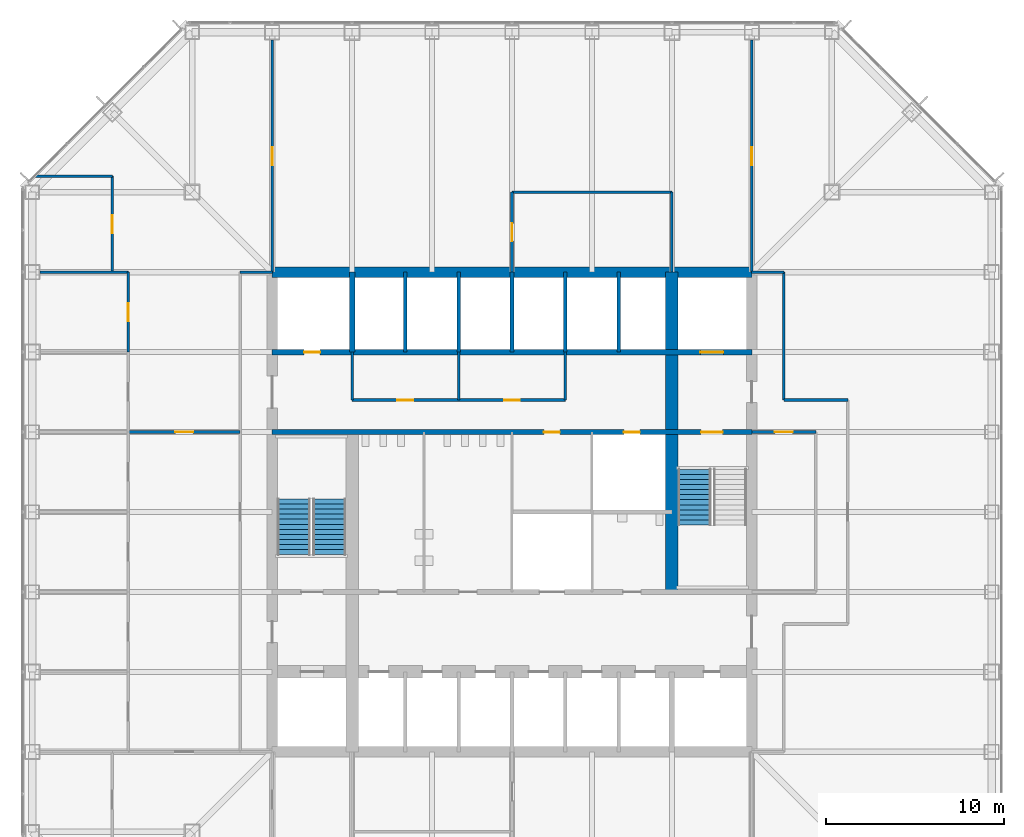
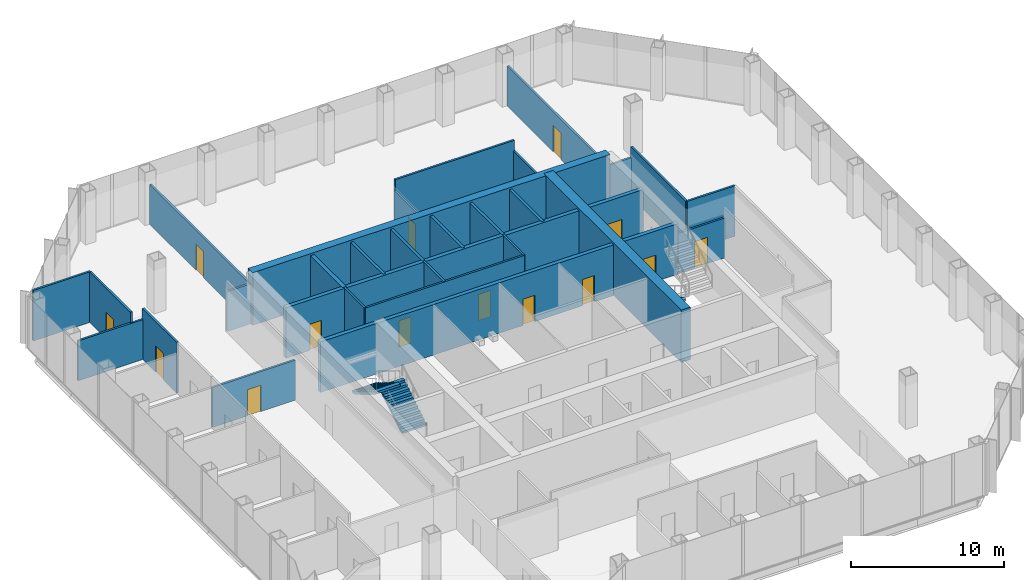
# One storey, part 10 of 13: 29 walls, 14 doors, 3 stair flights, 14 openings, 2 elements without a shape of their own.
"""IFC4 building model written with IfcOpenShell, lengths in metres."""

from ifc_helpers import new_model, si_unit, direction, frame, frame_2d, origin, place, context, subcontext, project, spatial, polyline, rectangle, outline, extrude, material, layer, layer_set, type_object, element, fill, aggregate, save


model = new_model("IFC4")

# Units and contexts
model_context = context("Model", 3, precision=1e-05, world=origin(), true_north=direction((0.0, 1.0)))
body_context = subcontext(model_context, "Body", "Model", "MODEL_VIEW")
ifc_project = project(units=[si_unit("LENGTHUNIT", "METRE"), si_unit("AREAUNIT", "SQUARE_METRE"), si_unit("VOLUMEUNIT", "CUBIC_METRE"), si_unit("PLANEANGLEUNIT", "RADIAN"), si_unit("MASSUNIT", "GRAM", prefix="KILO")], contexts=[model_context])

# Site, building, storey
site_placement = place(None, origin())
site = spatial("IfcSite", under=ifc_project, at=site_placement, CompositionType="ELEMENT")
building_placement = place(site_placement, origin())
building = spatial("IfcBuilding", under=site, at=building_placement, Name="Corais Broadcast Tower", CompositionType="ELEMENT")
storey_placement = place(building_placement, frame((0.0, 0.0, 87.800048828125)))
storey = spatial("IfcBuildingStorey", under=building, at=storey_placement, Name="L19", CompositionType="ELEMENT", Elevation=87.800048828125)

# Wall
ifc_material_1 = material(Name="Concrete blockwork class A, grouted, two-hour", Category="masonry")
ifc_layer_1 = layer(ifc_material_1, 0.300048828125)
ifc_layer_set_1 = layer_set([ifc_layer_1], Name="Concrete blockwork class A, grouted, two-hour")
wall_type_1 = type_object("IfcWallType", Name="Core lobby wall 300", PredefinedType="SOLIDWALL", material=ifc_layer_set_1)
wall_1_placement = place(storey_placement, frame((18.0, 36.0, 0.0), z_axis=(0.0, 0.0, 1.0), x_axis=(0.0, 1.0, 0.0)))
element("IfcWall", 1, at=wall_1_placement, inside=storey, type_object=wall_type_1, Name="CL1 core shaft wall X18B L19", PredefinedType="SOLIDWALL", context=body_context, shape_type="SweptSolid", body=[
    extrude(rectangle(XDim=4.5, YDim=0.300048828125, at=frame_2d((2.25, 0.0))), origin(), (0.0, 0.0, 1.0), 4.0400390625),
])

# Wall, openings, doors
wall_2_placement = place(storey_placement, frame((13.5, 31.5, 0.0), z_axis=(0.0, 0.0, 1.0), x_axis=(1.0, 0.0, 0.0)))
wall_2 = element("IfcWall", 2, at=wall_2_placement, inside=storey, type_object=wall_type_1, Name="CL1 core lobby wall Y315 L19", PredefinedType="SOLIDWALL", context=body_context, shape_type="SweptSolid", body=[
    extrude(rectangle(XDim=27.0, YDim=0.300048828125, at=frame_2d((13.5, 0.0))), origin(), (0.0, 0.0, 1.0), 4.0400390625),
])
opening_1_placement = place(wall_2_placement, frame((24.14990234375, 0.0, 0.0)))
opening_1 = element("IfcOpeningElement", 3, at=opening_1_placement, cuts=wall_2, Name="Opening FD1", PredefinedType="OPENING", context=body_context, shape_type="SweptSolid", body=[
    extrude(rectangle(XDim=1.199951171875, YDim=2.10009765625, at=frame_2d((0.60009765625, 1.050048828125))), frame((0.0, 0.159912109375, 0.0), z_axis=(0.0, -1.0, 0.0), x_axis=(1.0, 0.0, 0.0)), (0.0, 0.0, 1.0), 0.320068359375),
])
opening_2_placement = place(wall_2_placement, frame((15.300048828125, 0.0, 0.0)))
opening_2 = element("IfcOpeningElement", 4, at=opening_2_placement, cuts=wall_2, Name="Opening RD1", PredefinedType="OPENING", context=body_context, shape_type="SweptSolid", body=[
    extrude(rectangle(XDim=0.89990234375, YDim=2.10009765625, at=frame_2d((0.449951171875, 1.050048828125))), frame((0.0, 0.159912109375, 0.0), z_axis=(0.0, -1.0, 0.0), x_axis=(1.0, 0.0, 0.0)), (0.0, 0.0, 1.0), 0.320068359375),
])
opening_3_placement = place(wall_2_placement, frame((19.800048828125, 0.0, 0.0)))
opening_3 = element("IfcOpeningElement", 5, at=opening_3_placement, cuts=wall_2, Name="Opening RD1", PredefinedType="OPENING", context=body_context, shape_type="SweptSolid", body=[
    extrude(rectangle(XDim=0.89990234375, YDim=2.10009765625, at=frame_2d((0.449951171875, 1.050048828125))), frame((0.0, 0.159912109375, 0.0), z_axis=(0.0, -1.0, 0.0), x_axis=(1.0, 0.0, 0.0)), (0.0, 0.0, 1.0), 0.320068359375),
])
ifc_material_2 = material(Name="Steel fire door", Category="steel")
door_type_1 = type_object("IfcDoorType", Name="Fire door 1200x2100", OperationType="SINGLE_SWING_LEFT", PredefinedType="DOOR", material=ifc_material_2)
door_1_placement = place(opening_1_placement, origin())
door_1 = element("IfcDoor", 6, at=door_1_placement, inside=storey, type_object=door_type_1, Name="FD1 stair B door L19", OperationType="SINGLE_SWING_RIGHT", OverallHeight=2.10009765625, OverallWidth=1.199951171875, PredefinedType="DOOR", context=body_context, shape_type="SweptSolid", body=[
    extrude(rectangle(XDim=1.199951171875, YDim=2.10009765625, at=frame_2d((0.60009765625, 1.050048828125))), frame((0.0, 0.02490234375, 0.0), z_axis=(0.0, -1.0, 0.0), x_axis=(1.0, 0.0, 0.0)), (0.0, 0.0, 1.0), 0.050048828125),
])
fill(opening_1, door_1)
ifc_material_3 = material(Name="Steel fire door", Category="steel")
door_type_2 = type_object("IfcDoorType", Name="Riser door 900x2100", OperationType="SINGLE_SWING_LEFT", PredefinedType="DOOR", material=ifc_material_3)
door_2_placement = place(opening_2_placement, origin())
door_2 = element("IfcDoor", 7, at=door_2_placement, inside=storey, type_object=door_type_2, Name="RD1 vending room door L19", OperationType="SINGLE_SWING_RIGHT", OverallHeight=2.10009765625, OverallWidth=0.89990234375, PredefinedType="DOOR", context=body_context, shape_type="SweptSolid", body=[
    extrude(rectangle(XDim=0.89990234375, YDim=2.10009765625, at=frame_2d((0.449951171875, 1.050048828125))), frame((0.0, 0.02490234375, 0.0), z_axis=(0.0, -1.0, 0.0), x_axis=(1.0, 0.0, 0.0)), (0.0, 0.0, 1.0), 0.050048828125),
])
fill(opening_2, door_2)
door_3_placement = place(opening_3_placement, origin())
door_3 = element("IfcDoor", 8, at=door_3_placement, inside=storey, type_object=door_type_2, Name="RD1 riser door L19", OperationType="SINGLE_SWING_RIGHT", OverallHeight=2.10009765625, OverallWidth=0.89990234375, PredefinedType="DOOR", context=body_context, shape_type="SweptSolid", body=[
    extrude(rectangle(XDim=0.89990234375, YDim=2.10009765625, at=frame_2d((0.449951171875, 1.050048828125))), frame((0.0, 0.02490234375, 0.0), z_axis=(0.0, -1.0, 0.0), x_axis=(1.0, 0.0, 0.0)), (0.0, 0.0, 1.0), 0.050048828125),
])
fill(opening_3, door_3)

# Walls
ifc_material_4 = material(Name="Concrete C50/60", Category="concrete")
ifc_layer_2 = layer(ifc_material_4, 0.699951171875)
ifc_layer_set_2 = layer_set([ifc_layer_2], Name="Concrete C50/60")
wall_type_2 = type_object("IfcWallType", Name="Core spine wall 700", PredefinedType="SHEAR", material=ifc_layer_set_2)
wall_3_placement = place(storey_placement, frame((36.0, 22.5, 0.0), z_axis=(0.0, 0.0, 1.0), x_axis=(0.0, 1.0, 0.0)))
element("IfcWall", 9, at=wall_3_placement, inside=storey, type_object=wall_type_2, Name="CR700 core wall X36B L19", PredefinedType="SHEAR", context=body_context, shape_type="SweptSolid", body=[
    extrude(rectangle(XDim=18.0, YDim=0.699951171875, at=frame_2d((9.0, 0.0))), origin(), (0.0, 0.0, 1.0), 4.199951171875),
])
ifc_material_5 = material(Name="Concrete C50/60", Category="concrete")
ifc_layer_3 = layer(ifc_material_5, 0.60009765625)
ifc_layer_set_3 = layer_set([ifc_layer_3], Name="Concrete C50/60")
wall_type_3 = type_object("IfcWallType", Name="Core wall 600", PredefinedType="SHEAR", material=ifc_layer_set_3)
wall_4_placement = place(storey_placement, frame((40.5, 40.5, 0.0), z_axis=(0.0, 0.0, 1.0), x_axis=(-1.0, 0.0, 0.0)))
element("IfcWall", 10, at=wall_4_placement, inside=storey, type_object=wall_type_3, Name="CR600 core wall N L19", PredefinedType="SHEAR", context=body_context, shape_type="SweptSolid", body=[
    extrude(rectangle(XDim=27.0, YDim=0.60009765625, at=frame_2d((13.5, 0.0))), origin(), (0.0, 0.0, 1.0), 4.199951171875),
])

# Wall, openings, doors
ifc_material_6 = material(Name="Concrete blockwork class A, grouted, four-hour", Category="masonry")
ifc_layer_4 = layer(ifc_material_6, 0.300048828125)
ifc_layer_set_4 = layer_set([ifc_layer_4], Name="Concrete blockwork class A, grouted, four-hour")
wall_type_4 = type_object("IfcWallType", Name="Emergency lift shaft wall 300", PredefinedType="SOLIDWALL", material=ifc_layer_set_4)
wall_5_placement = place(storey_placement, frame((13.5, 36.0, 0.0), z_axis=(0.0, 0.0, 1.0), x_axis=(1.0, 0.0, 0.0)))
wall_5 = element("IfcWall", 11, at=wall_5_placement, inside=storey, type_object=wall_type_4, Name="LS1 core lobby wall Y36 L19", PredefinedType="SOLIDWALL", context=body_context, shape_type="SweptSolid", body=[
    extrude(rectangle(XDim=27.0, YDim=0.300048828125, at=frame_2d((13.5, 0.0))), origin(), (0.0, 0.0, 1.0), 4.0400390625),
])
opening_4_placement = place(wall_5_placement, frame((1.800048828125, 0.0, 0.0)))
opening_4 = element("IfcOpeningElement", 12, at=opening_4_placement, cuts=wall_5, Name="Opening RD1", PredefinedType="OPENING", context=body_context, shape_type="SweptSolid", body=[
    extrude(rectangle(XDim=0.89990234375, YDim=2.10009765625, at=frame_2d((0.449951171875, 1.050048828125))), frame((0.0, 0.159912109375, 0.0), z_axis=(0.0, -1.0, 0.0), x_axis=(1.0, 0.0, 0.0)), (0.0, 0.0, 1.0), 0.320068359375),
])
opening_5_placement = place(wall_5_placement, frame((24.10009765625, 0.0, 0.0)))
opening_5 = element("IfcOpeningElement", 13, at=opening_5_placement, cuts=wall_5, Name="Opening LD2", PredefinedType="OPENING", context=body_context, shape_type="SweptSolid", body=[
    extrude(rectangle(XDim=1.300048828125, YDim=2.199951171875, at=frame_2d((0.64990234375, 1.10009765625))), frame((0.0, 0.159912109375, 0.0), z_axis=(0.0, -1.0, 0.0), x_axis=(1.0, 0.0, 0.0)), (0.0, 0.0, 1.0), 0.320068359375),
])
ifc_material_7 = material(Name="Stainless steel lift door", Category="steel")
door_type_3 = type_object("IfcDoorType", Name="Lift landing door 1300x2200", OperationType="SLIDING_TO_LEFT", PredefinedType="DOOR", material=ifc_material_7)
door_4_placement = place(opening_5_placement, origin())
door_4 = element("IfcDoor", 14, at=door_4_placement, inside=storey, type_object=door_type_3, Name="LD2 FL2 landing door L19", OperationType="SLIDING_TO_LEFT", OverallHeight=2.199951171875, OverallWidth=1.300048828125, PredefinedType="DOOR", context=body_context, shape_type="SweptSolid", body=[
    extrude(rectangle(XDim=1.300048828125, YDim=2.199951171875, at=frame_2d((0.64990234375, 1.10009765625))), frame((0.0, 0.02490234375, 0.0), z_axis=(0.0, -1.0, 0.0), x_axis=(1.0, 0.0, 0.0)), (0.0, 0.0, 1.0), 0.050048828125),
])
fill(opening_5, door_4)
door_5_placement = place(opening_4_placement, origin())
door_5 = element("IfcDoor", 15, at=door_5_placement, inside=storey, type_object=door_type_2, Name="RD1 riser door L19", OperationType="SINGLE_SWING_LEFT", OverallHeight=2.10009765625, OverallWidth=0.89990234375, PredefinedType="DOOR", context=body_context, shape_type="SweptSolid", body=[
    extrude(rectangle(XDim=0.89990234375, YDim=2.10009765625, at=frame_2d((0.449951171875, 1.050048828125))), frame((0.0, 0.02490234375, 0.0), z_axis=(0.0, -1.0, 0.0), x_axis=(1.0, 0.0, 0.0)), (0.0, 0.0, 1.0), 0.050048828125),
])
fill(opening_4, door_5)

ifc_material_8 = material(Name="Two layers of fire-rated gypsum board each side on steel studs", Category="steel")
ifc_layer_5 = layer(ifc_material_8, 0.14990234375)
ifc_layer_set_5 = layer_set([ifc_layer_5], Name="Two layers of fire-rated gypsum board each side on steel studs")
wall_type_5 = type_object("IfcWallType", Name="Fire-rated partition 150 EI 60", PredefinedType="PARTITIONING", material=ifc_layer_set_5)
wall_6_placement = place(storey_placement, frame((18.0, 33.300048828125, 0.0), z_axis=(0.0, 0.0, 1.0), x_axis=(1.0, 0.0, 0.0)))
wall_6 = element("IfcWall", 16, at=wall_6_placement, inside=storey, type_object=wall_type_5, Name="IW7 partition L19", PredefinedType="PARTITIONING", context=body_context, shape_type="SweptSolid", body=[
    extrude(rectangle(XDim=12.0, YDim=0.14990234375, at=frame_2d((6.0, 0.0))), origin(), (0.0, 0.0, 1.0), 4.0400390625),
])
opening_6_placement = place(wall_6_placement, frame((2.550048828125, 0.0, 0.0)))
opening_6 = element("IfcOpeningElement", 17, at=opening_6_placement, cuts=wall_6, Name="Opening RD1", PredefinedType="OPENING", context=body_context, shape_type="SweptSolid", body=[
    extrude(rectangle(XDim=0.89990234375, YDim=2.10009765625, at=frame_2d((0.449951171875, 1.050048828125))), frame((0.0, 0.0849609375, 0.0), z_axis=(0.0, -1.0, 0.0), x_axis=(1.0, 0.0, 0.0)), (0.0, 0.0, 1.0), 0.169921875),
])
opening_7_placement = place(wall_6_placement, frame((8.550048828125, 0.0, 0.0)))
opening_7 = element("IfcOpeningElement", 18, at=opening_7_placement, cuts=wall_6, Name="Opening RD1", PredefinedType="OPENING", context=body_context, shape_type="SweptSolid", body=[
    extrude(rectangle(XDim=0.89990234375, YDim=2.10009765625, at=frame_2d((0.449951171875, 1.050048828125))), frame((0.0, 0.0849609375, 0.0), z_axis=(0.0, -1.0, 0.0), x_axis=(1.0, 0.0, 0.0)), (0.0, 0.0, 1.0), 0.169921875),
])
door_6_placement = place(opening_6_placement, origin())
door_6 = element("IfcDoor", 19, at=door_6_placement, inside=storey, type_object=door_type_2, Name="RD1 locker room door L19", OperationType="SINGLE_SWING_LEFT", OverallHeight=2.10009765625, OverallWidth=0.89990234375, PredefinedType="DOOR", context=body_context, shape_type="SweptSolid", body=[
    extrude(rectangle(XDim=0.89990234375, YDim=2.10009765625, at=frame_2d((0.449951171875, 1.050048828125))), frame((0.0, 0.02490234375, 0.0), z_axis=(0.0, -1.0, 0.0), x_axis=(1.0, 0.0, 0.0)), (0.0, 0.0, 1.0), 0.050048828125),
])
fill(opening_6, door_6)
door_7_placement = place(opening_7_placement, origin())
door_7 = element("IfcDoor", 20, at=door_7_placement, inside=storey, type_object=door_type_2, Name="RD1 tea point door L19", OperationType="SINGLE_SWING_RIGHT", OverallHeight=2.10009765625, OverallWidth=0.89990234375, PredefinedType="DOOR", context=body_context, shape_type="SweptSolid", body=[
    extrude(rectangle(XDim=0.89990234375, YDim=2.10009765625, at=frame_2d((0.449951171875, 1.050048828125))), frame((0.0, 0.02490234375, 0.0), z_axis=(0.0, -1.0, 0.0), x_axis=(1.0, 0.0, 0.0)), (0.0, 0.0, 1.0), 0.050048828125),
])
fill(opening_7, door_7)

# Walls
for number, where, z_axis, x_axis, name in (
    (21, (18.0, 33.300048828125, 0.0), (0.0, 0.0, 1.0), (0.0, 1.0, 0.0), "IW7 partition L19"),
    (22, (24.0, 33.300048828125, 0.0), (0.0, 0.0, 1.0), (0.0, 1.0, 0.0), "IW7 partition L19"),
    (23, (30.0, 33.300048828125, 0.0), (0.0, 0.0, 1.0), (0.0, 1.0, 0.0), "IW7 partition L19"),
):
    element("IfcWall", number, at=place(storey_placement, frame(where, z_axis=z_axis, x_axis=x_axis)), inside=storey, type_object=wall_type_5, Name=name, PredefinedType="PARTITIONING", context=body_context, shape_type="SweptSolid", body=[
        extrude(rectangle(XDim=2.699951171875, YDim=0.14990234375, at=frame_2d((1.35009765625, 0.0))), origin(), (0.0, 0.0, 1.0), 4.0400390625),
    ])
ifc_material_9 = material(Name="Gypsum board on steel studs", Category="steel")
ifc_layer_6 = layer(ifc_material_9, 0.14990234375)
ifc_layer_set_6 = layer_set([ifc_layer_6], Name="Gypsum board on steel studs")
wall_type_6 = type_object("IfcWallType", Name="Partition 150", PredefinedType="PARTITIONING", material=ifc_layer_set_6)
wall_7_placement = place(storey_placement, frame((42.300048828125, 33.300048828125, 0.0), z_axis=(0.0, 0.0, 1.0), x_axis=(0.0, 1.0, 0.0)))
element("IfcWall", 24, at=wall_7_placement, inside=storey, type_object=wall_type_6, Name="IW3 corridor wall L19", PredefinedType="PARTITIONING", context=body_context, shape_type="SweptSolid", body=[
    extrude(rectangle(XDim=7.199951171875, YDim=0.14990234375, at=frame_2d((3.60009765625, 0.0))), origin(), (0.0, 0.0, 1.0), 4.0400390625),
])
wall_8_placement = place(storey_placement, frame((45.89990234375, 33.300048828125, 0.0), z_axis=(0.0, 0.0, 1.0), x_axis=(-1.0, 0.0, 0.0)))
element("IfcWall", 25, at=wall_8_placement, inside=storey, type_object=wall_type_6, Name="IW3 corridor wall L19", PredefinedType="PARTITIONING", context=body_context, shape_type="SweptSolid", body=[
    extrude(rectangle(XDim=3.599853515625, YDim=0.14990234375, at=frame_2d((1.7998046875, 0.0))), origin(), (0.0, 0.0, 1.0), 4.0400390625),
])
for number, where, z_axis, x_axis, name in (
    (26, (13.510009765625, 40.5, 0.0), (0.0, 0.0, 1.0), (-1.0, 0.0, 0.0), "IW3 corridor wall L19"),
    (27, (42.300048828125, 40.5, 0.0), (0.0, 0.0, 1.0), (-1.0, 0.0, 0.0), "IW3 corridor wall L19"),
):
    element("IfcWall", number, at=place(storey_placement, frame(where, z_axis=z_axis, x_axis=x_axis)), inside=storey, type_object=wall_type_6, Name=name, PredefinedType="PARTITIONING", context=body_context, shape_type="SweptSolid", body=[
        extrude(rectangle(XDim=1.81005859375, YDim=0.14990234375, at=frame_2d((0.905029296875, 0.0))), origin(), (0.0, 0.0, 1.0), 3.18896484375),
    ])

# Wall, opening, door
wall_9_placement = place(storey_placement, frame((5.39990234375, 36.0, 0.0), z_axis=(0.0, 0.0, 1.0), x_axis=(0.0, 1.0, 0.0)))
wall_9 = element("IfcWall", 28, at=wall_9_placement, inside=storey, type_object=wall_type_6, Name="IW3 partition L19", PredefinedType="PARTITIONING", context=body_context, shape_type="SweptSolid", body=[
    extrude(rectangle(XDim=4.5, YDim=0.14990234375, at=frame_2d((2.25, 0.0))), origin(), (0.0, 0.0, 1.0), 4.0400390625),
])
opening_8_placement = place(wall_9_placement, frame((1.75, 0.0, 0.0)))
opening_8 = element("IfcOpeningElement", 29, at=opening_8_placement, cuts=wall_9, Name="Opening D1", PredefinedType="OPENING", context=body_context, shape_type="SweptSolid", body=[
    extrude(rectangle(XDim=1.0, YDim=2.10009765625, at=frame_2d((0.5, 1.050048828125))), frame((0.0, 0.0849609375, 0.0), z_axis=(0.0, -1.0, 0.0), x_axis=(1.0, 0.0, 0.0)), (0.0, 0.0, 1.0), 0.169921875),
])
ifc_material_10 = material(Name="Timber door", Category="wood")
door_type_4 = type_object("IfcDoorType", Name="Single door 1000x2100", OperationType="SINGLE_SWING_LEFT", PredefinedType="DOOR", material=ifc_material_10)
door_8_placement = place(opening_8_placement, origin())
door_8 = element("IfcDoor", 30, at=door_8_placement, inside=storey, type_object=door_type_4, Name="D1 Office door", OperationType="SINGLE_SWING_LEFT", OverallHeight=2.10009765625, OverallWidth=1.0, PredefinedType="DOOR", context=body_context, shape_type="SweptSolid", body=[
    extrude(rectangle(XDim=1.0, YDim=2.10009765625, at=frame_2d((0.5, 1.050048828125))), frame((0.0, 0.02490234375, 0.0), z_axis=(0.0, -1.0, 0.0), x_axis=(1.0, 0.0, 0.0)), (0.0, 0.0, 1.0), 0.050048828125),
])
fill(opening_8, door_8)

# Wall
wall_10_placement = place(storey_placement, frame((5.39990234375, 40.5, 0.0), z_axis=(0.0, 0.0, 1.0), x_axis=(-1.0, 0.0, 0.0)))
element("IfcWall", 31, at=wall_10_placement, inside=storey, type_object=wall_type_6, Name="IW3 partition L19", PredefinedType="PARTITIONING", context=body_context, shape_type="SweptSolid", body=[
    extrude(rectangle(XDim=4.96484375, YDim=0.14990234375, at=frame_2d((2.482421875, 0.0))), origin(), (0.0, 0.0, 1.0), 3.18896484375),
])

# Wall, opening, door
wall_11_placement = place(storey_placement, frame((4.5, 40.5, 0.0), z_axis=(0.0, 0.0, 1.0), x_axis=(0.0, 1.0, 0.0)))
wall_11 = element("IfcWall", 32, at=wall_11_placement, inside=storey, type_object=wall_type_6, Name="IW3 partition L19", PredefinedType="PARTITIONING", context=body_context, shape_type="SweptSolid", body=[
    extrude(rectangle(XDim=5.39990234375, YDim=0.14990234375, at=frame_2d((2.699951171875, 0.0))), origin(), (0.0, 0.0, 1.0), 4.0400390625),
])
opening_9_placement = place(wall_11_placement, frame((2.199951171875, 0.0, 0.0)))
opening_9 = element("IfcOpeningElement", 33, at=opening_9_placement, cuts=wall_11, Name="Opening D1", PredefinedType="OPENING", context=body_context, shape_type="SweptSolid", body=[
    extrude(rectangle(XDim=1.0, YDim=2.10009765625, at=frame_2d((0.5, 1.050048828125))), frame((0.0, 0.0849609375, 0.0), z_axis=(0.0, -1.0, 0.0), x_axis=(1.0, 0.0, 0.0)), (0.0, 0.0, 1.0), 0.169921875),
])
door_9_placement = place(opening_9_placement, origin())
door_9 = element("IfcDoor", 34, at=door_9_placement, inside=storey, type_object=door_type_4, Name="D1 Office door", OperationType="SINGLE_SWING_LEFT", OverallHeight=2.10009765625, OverallWidth=1.0, PredefinedType="DOOR", context=body_context, shape_type="SweptSolid", body=[
    extrude(rectangle(XDim=1.0, YDim=2.10009765625, at=frame_2d((0.5, 1.050048828125))), frame((0.0, 0.02490234375, 0.0), z_axis=(0.0, -1.0, 0.0), x_axis=(1.0, 0.0, 0.0)), (0.0, 0.0, 1.0), 0.050048828125),
])
fill(opening_9, door_9)

# Wall
wall_12_placement = place(storey_placement, frame((4.5, 45.89990234375, 0.0), z_axis=(0.0, 0.0, 1.0), x_axis=(-1.0, 0.0, 0.0)))
element("IfcWall", 35, at=wall_12_placement, inside=storey, type_object=wall_type_6, Name="IW3 partition L19", PredefinedType="PARTITIONING", context=body_context, shape_type="SweptSolid", body=[
    extrude(rectangle(XDim=4.33544921875, YDim=0.14990234375, at=frame_2d((2.167724609375, 0.0))), origin(), (0.0, 0.0, 1.0), 4.0400390625),
])

# Wall, opening, door
wall_13_placement = place(storey_placement, frame((44.10009765625, 31.5, 0.0), z_axis=(0.0, 0.0, 1.0), x_axis=(-1.0, 0.0, 0.0)))
wall_13 = element("IfcWall", 36, at=wall_13_placement, inside=storey, type_object=wall_type_6, Name="IW3 partition L19", PredefinedType="PARTITIONING", context=body_context, shape_type="SweptSolid", body=[
    extrude(rectangle(XDim=3.60009765625, YDim=0.14990234375, at=frame_2d((1.800048828125, 0.0))), origin(), (0.0, 0.0, 1.0), 3.18896484375),
])
opening_10_placement = place(wall_13_placement, frame((1.300048828125, 0.0, 0.0)))
opening_10 = element("IfcOpeningElement", 37, at=opening_10_placement, cuts=wall_13, Name="Opening D1", PredefinedType="OPENING", context=body_context, shape_type="SweptSolid", body=[
    extrude(rectangle(XDim=1.0, YDim=2.10009765625, at=frame_2d((0.5, 1.050048828125))), frame((0.0, 0.0849609375, 0.0), z_axis=(0.0, -1.0, 0.0), x_axis=(1.0, 0.0, 0.0)), (0.0, 0.0, 1.0), 0.169921875),
])
door_10_placement = place(opening_10_placement, origin())
door_10 = element("IfcDoor", 38, at=door_10_placement, inside=storey, type_object=door_type_4, Name="D1 Pantry door", OperationType="SINGLE_SWING_LEFT", OverallHeight=2.10009765625, OverallWidth=1.0, PredefinedType="DOOR", context=body_context, shape_type="SweptSolid", body=[
    extrude(rectangle(XDim=1.0, YDim=2.10009765625, at=frame_2d((0.5, 1.050048828125))), frame((0.0, 0.02490234375, 0.0), z_axis=(0.0, -1.0, 0.0), x_axis=(1.0, 0.0, 0.0)), (0.0, 0.0, 1.0), 0.050048828125),
])
fill(opening_10, door_10)

# Walls
wall_14_placement = place(storey_placement, frame((36.0, 40.5, 0.0), z_axis=(0.0, 0.0, 1.0), x_axis=(0.0, 1.0, 0.0)))
element("IfcWall", 39, at=wall_14_placement, inside=storey, type_object=wall_type_6, Name="IW3 partition L19", PredefinedType="PARTITIONING", context=body_context, shape_type="SweptSolid", body=[
    extrude(rectangle(XDim=4.5, YDim=0.14990234375, at=frame_2d((2.25, 0.0))), origin(), (0.0, 0.0, 1.0), 3.18896484375),
])
wall_15_placement = place(storey_placement, frame((36.0, 45.0, 0.0), z_axis=(0.0, 0.0, 1.0), x_axis=(-1.0, 0.0, 0.0)))
element("IfcWall", 40, at=wall_15_placement, inside=storey, type_object=wall_type_6, Name="IW3 partition L19", PredefinedType="PARTITIONING", context=body_context, shape_type="SweptSolid", body=[
    extrude(rectangle(XDim=9.0, YDim=0.14990234375, at=frame_2d((4.5, 0.0))), origin(), (0.0, 0.0, 1.0), 4.0400390625),
])

# Wall, opening, door
wall_16_placement = place(storey_placement, frame((27.0, 45.0, 0.0), z_axis=(0.0, 0.0, 1.0), x_axis=(0.0, -1.0, 0.0)))
wall_16 = element("IfcWall", 41, at=wall_16_placement, inside=storey, type_object=wall_type_6, Name="IW3 partition L19", PredefinedType="PARTITIONING", context=body_context, shape_type="SweptSolid", body=[
    extrude(rectangle(XDim=4.5, YDim=0.14990234375, at=frame_2d((2.25, 0.0))), origin(), (0.0, 0.0, 1.0), 3.18896484375),
])
opening_11_placement = place(wall_16_placement, frame((1.75, 0.0, 0.0)))
opening_11 = element("IfcOpeningElement", 42, at=opening_11_placement, cuts=wall_16, Name="Opening D1", PredefinedType="OPENING", context=body_context, shape_type="SweptSolid", body=[
    extrude(rectangle(XDim=1.0, YDim=2.10009765625, at=frame_2d((0.5, 1.050048828125))), frame((0.0, 0.0849609375, 0.0), z_axis=(0.0, -1.0, 0.0), x_axis=(1.0, 0.0, 0.0)), (0.0, 0.0, 1.0), 0.169921875),
])
door_11_placement = place(opening_11_placement, origin())
door_11 = element("IfcDoor", 43, at=door_11_placement, inside=storey, type_object=door_type_4, Name="D1 Meeting room door", OperationType="SINGLE_SWING_LEFT", OverallHeight=2.10009765625, OverallWidth=1.0, PredefinedType="DOOR", context=body_context, shape_type="SweptSolid", body=[
    extrude(rectangle(XDim=1.0, YDim=2.10009765625, at=frame_2d((0.5, 1.050048828125))), frame((0.0, 0.02490234375, 0.0), z_axis=(0.0, -1.0, 0.0), x_axis=(1.0, 0.0, 0.0)), (0.0, 0.0, 1.0), 0.050048828125),
])
fill(opening_11, door_11)

wall_17_placement = place(storey_placement, frame((40.5, 53.554931640625, 0.0), z_axis=(0.0, 0.0, 1.0), x_axis=(0.0, -1.0, 0.0)))
wall_17 = element("IfcWall", 44, at=wall_17_placement, inside=storey, type_object=wall_type_6, Name="IW3 partition L19", PredefinedType="PARTITIONING", context=body_context, shape_type="SweptSolid", body=[
    extrude(rectangle(XDim=13.054931640625, YDim=0.14990234375, at=frame_2d((6.52734375, 0.0))), origin(), (0.0, 0.0, 1.0), 3.18896484375),
])
opening_12_placement = place(wall_17_placement, frame((6.027587890625, 0.0, 0.0)))
opening_12 = element("IfcOpeningElement", 45, at=opening_12_placement, cuts=wall_17, Name="Opening D1", PredefinedType="OPENING", context=body_context, shape_type="SweptSolid", body=[
    extrude(rectangle(XDim=1.0, YDim=2.10009765625, at=frame_2d((0.5, 1.050048828125))), frame((0.0, 0.0849609375, 0.0), z_axis=(0.0, -1.0, 0.0), x_axis=(1.0, 0.0, 0.0)), (0.0, 0.0, 1.0), 0.169921875),
])
door_12_placement = place(opening_12_placement, origin())
door_12 = element("IfcDoor", 46, at=door_12_placement, inside=storey, type_object=door_type_4, Name="D1 team room door L19", OperationType="SINGLE_SWING_LEFT", OverallHeight=2.10009765625, OverallWidth=1.0, PredefinedType="DOOR", context=body_context, shape_type="SweptSolid", body=[
    extrude(rectangle(XDim=1.0, YDim=2.10009765625, at=frame_2d((0.5, 1.050048828125))), frame((0.0, 0.02490234375, 0.0), z_axis=(0.0, -1.0, 0.0), x_axis=(1.0, 0.0, 0.0)), (0.0, 0.0, 1.0), 0.050048828125),
])
fill(opening_12, door_12)

wall_18_placement = place(storey_placement, frame((13.5, 40.5, 0.0), z_axis=(0.0, 0.0, 1.0), x_axis=(0.0, 1.0, 0.0)))
wall_18 = element("IfcWall", 47, at=wall_18_placement, inside=storey, type_object=wall_type_6, Name="IW3 partition L19", PredefinedType="PARTITIONING", context=body_context, shape_type="SweptSolid", body=[
    extrude(rectangle(XDim=13.054931640625, YDim=0.14990234375, at=frame_2d((6.52734375, 0.0))), origin(), (0.0, 0.0, 1.0), 3.18896484375),
])
opening_13_placement = place(wall_18_placement, frame((6.027587890625, 0.0, 0.0)))
opening_13 = element("IfcOpeningElement", 48, at=opening_13_placement, cuts=wall_18, Name="Opening D1", PredefinedType="OPENING", context=body_context, shape_type="SweptSolid", body=[
    extrude(rectangle(XDim=1.0, YDim=2.10009765625, at=frame_2d((0.5, 1.050048828125))), frame((0.0, 0.0849609375, 0.0), z_axis=(0.0, -1.0, 0.0), x_axis=(1.0, 0.0, 0.0)), (0.0, 0.0, 1.0), 0.169921875),
])
door_13_placement = place(opening_13_placement, origin())
door_13 = element("IfcDoor", 49, at=door_13_placement, inside=storey, type_object=door_type_4, Name="D1 team room door L19", OperationType="SINGLE_SWING_LEFT", OverallHeight=2.10009765625, OverallWidth=1.0, PredefinedType="DOOR", context=body_context, shape_type="SweptSolid", body=[
    extrude(rectangle(XDim=1.0, YDim=2.10009765625, at=frame_2d((0.5, 1.050048828125))), frame((0.0, 0.02490234375, 0.0), z_axis=(0.0, -1.0, 0.0), x_axis=(1.0, 0.0, 0.0)), (0.0, 0.0, 1.0), 0.050048828125),
])
fill(opening_13, door_13)

wall_19_placement = place(storey_placement, frame((11.699951171875, 31.5, 0.0), z_axis=(0.0, 0.0, 1.0), x_axis=(-1.0, 0.0, 0.0)))
wall_19 = element("IfcWall", 50, at=wall_19_placement, inside=storey, type_object=wall_type_6, Name="IW3 partition L19", PredefinedType="PARTITIONING", context=body_context, shape_type="SweptSolid", body=[
    extrude(rectangle(XDim=6.300048828125, YDim=0.14990234375, at=frame_2d((3.14990234375, 0.0))), origin(), (0.0, 0.0, 1.0), 3.18896484375),
])
opening_14_placement = place(wall_19_placement, frame((2.64990234375, 0.0, 0.0)))
opening_14 = element("IfcOpeningElement", 51, at=opening_14_placement, cuts=wall_19, Name="Opening D1", PredefinedType="OPENING", context=body_context, shape_type="SweptSolid", body=[
    extrude(rectangle(XDim=1.0, YDim=2.10009765625, at=frame_2d((0.5, 1.050048828125))), frame((0.0, 0.0849609375, 0.0), z_axis=(0.0, -1.0, 0.0), x_axis=(1.0, 0.0, 0.0)), (0.0, 0.0, 1.0), 0.169921875),
])
door_14_placement = place(opening_14_placement, origin())
door_14 = element("IfcDoor", 52, at=door_14_placement, inside=storey, type_object=door_type_4, Name="D1 team room door L19", OperationType="SINGLE_SWING_LEFT", OverallHeight=2.10009765625, OverallWidth=1.0, PredefinedType="DOOR", context=body_context, shape_type="SweptSolid", body=[
    extrude(rectangle(XDim=1.0, YDim=2.10009765625, at=frame_2d((0.5, 1.050048828125))), frame((0.0, 0.02490234375, 0.0), z_axis=(0.0, -1.0, 0.0), x_axis=(1.0, 0.0, 0.0)), (0.0, 0.0, 1.0), 0.050048828125),
])
fill(opening_14, door_14)

# Walls
ifc_material_11 = material(Name="Concrete blockwork class A, grouted, two-hour", Category="masonry")
ifc_layer_7 = layer(ifc_material_11, 0.199951171875)
ifc_layer_set_7 = layer_set([ifc_layer_7], Name="Concrete blockwork class A, grouted, two-hour")
wall_type_7 = type_object("IfcWallType", Name="Shaft wall 200", PredefinedType="PARTITIONING", material=ifc_layer_set_7)
for number, where, z_axis, x_axis, name in (
    (53, (21.0, 36.0, 0.0), (0.0, 0.0, 1.0), (0.0, 1.0, 0.0), "IW1 shaft wall L19"),
    (54, (24.0, 36.0, 0.0), (0.0, 0.0, 1.0), (0.0, 1.0, 0.0), "IW1 shaft wall L19"),
    (55, (27.0, 36.0, 0.0), (0.0, 0.0, 1.0), (0.0, 1.0, 0.0), "IW1 shaft wall L19"),
    (56, (30.0, 36.0, 0.0), (0.0, 0.0, 1.0), (0.0, 1.0, 0.0), "IW1 shaft wall L19"),
    (57, (33.0, 36.0, 0.0), (0.0, 0.0, 1.0), (0.0, 1.0, 0.0), "IW1 shaft wall L19"),
):
    element("IfcWall", number, at=place(storey_placement, frame(where, z_axis=z_axis, x_axis=x_axis)), inside=storey, type_object=wall_type_7, Name=name, PredefinedType="PARTITIONING", context=body_context, shape_type="SweptSolid", body=[
        extrude(rectangle(XDim=4.5, YDim=0.199951171875, at=frame_2d((2.25, 0.0))), origin(), (0.0, 0.0, 1.0), 4.0400390625),
    ])

# Stair, stair flights
ifc_material_12 = material(Name="Concrete C30/37", Category="concrete")
stair_type = type_object("IfcStairType", Name="Half-turn stair 4200", PredefinedType="HALF_TURN_STAIR", material=ifc_material_12)
stair_1_placement = place(storey_placement, origin())
stair_1 = element("IfcStair", 58, at=stair_1_placement, inside=storey, type_object=stair_type, Name="Stair A L19", PredefinedType="HALF_TURN_STAIR")
ifc_material_13 = material(Name="Concrete C30/37", Category="concrete")
stair_flight_type = type_object("IfcStairFlightType", Name="Stair flight 4200", PredefinedType="STRAIGHT", material=ifc_material_13)
stair_flight_1_placement = place(storey_placement, frame((16.72509765625, 24.60009765625, 0.0), z_axis=(0.0, 0.0, 1.0), x_axis=(0.0, 1.0, 0.0)))
stair_flight_1 = element("IfcStairFlight", 59, at=stair_flight_1_placement, type_object=stair_flight_type, Name="STA flight 1", NumberOfRisers=12, NumberOfTreads=11, PredefinedType="STRAIGHT", RiserHeight=0.175, TreadLength=0.285, context=body_context, shape_type="SweptSolid", body=[
    extrude(outline(polyline([(0.0, 0.0), (0.0, 0.175048828125), (0.284912109375, 0.175048828125), (0.284912109375, 0.35009765625), (0.570068359375, 0.35009765625), (0.570068359375, 0.52490234375), (0.85498046875, 0.52490234375), (0.85498046875, 0.699951171875), (1.139892578125, 0.699951171875), (1.139892578125, 0.875), (1.425048828125, 0.875), (1.425048828125, 1.050048828125), (1.7099609375, 1.050048828125), (1.7099609375, 1.22509765625), (1.9951171875, 1.22509765625), (1.9951171875, 1.39990234375), (2.280029296875, 1.39990234375), (2.280029296875, 1.574951171875), (2.56494140625, 1.574951171875), (2.56494140625, 1.75), (2.85009765625, 1.75), (2.85009765625, 1.925048828125), (3.135009765625, 1.925048828125), (3.135009765625, 2.10009765625), (3.135009765625, 1.7490234375), (0.286376953125, 0.0), (0.0, 0.0)])), frame((0.0, 0.925048828125, 0.0), z_axis=(0.0, -1.0, 0.0), x_axis=(1.0, 0.0, 0.0)), (0.0, 0.0, 1.0), 1.85009765625),
])
stair_flight_2_placement = place(storey_placement, frame((14.72509765625, 27.735107421875, 2.099853515625), z_axis=(0.0, 0.0, 1.0), x_axis=(0.0, -1.0, 0.0)))
stair_flight_2 = element("IfcStairFlight", 60, at=stair_flight_2_placement, type_object=stair_flight_type, Name="STA flight 2", NumberOfRisers=12, NumberOfTreads=11, PredefinedType="STRAIGHT", RiserHeight=0.175, TreadLength=0.285, context=body_context, shape_type="SweptSolid", body=[
    extrude(outline(polyline([(0.0, 0.0), (0.0, 0.175048828125), (0.284912109375, 0.175048828125), (0.284912109375, 0.35009765625), (0.570068359375, 0.35009765625), (0.570068359375, 0.52490234375), (0.85498046875, 0.52490234375), (0.85498046875, 0.699951171875), (1.139892578125, 0.699951171875), (1.139892578125, 0.875), (1.425048828125, 0.875), (1.425048828125, 1.050048828125), (1.7099609375, 1.050048828125), (1.7099609375, 1.22509765625), (1.9951171875, 1.22509765625), (1.9951171875, 1.39990234375), (2.280029296875, 1.39990234375), (2.280029296875, 1.574951171875), (2.56494140625, 1.574951171875), (2.56494140625, 1.75), (2.85009765625, 1.75), (2.85009765625, 1.925048828125), (3.135009765625, 1.925048828125), (3.135009765625, 2.10009765625), (3.135009765625, 1.7490234375), (0.286376953125, 0.0), (0.0, 0.0)])), frame((0.0, 0.925048828125, 0.0), z_axis=(0.0, -1.0, 0.0), x_axis=(1.0, 0.0, 0.0)), (0.0, 0.0, 1.0), 1.85009765625),
])
aggregate(stair_1, [stair_flight_1, stair_flight_2])

# Stair, stair flight
stair_2_placement = place(storey_placement, origin())
stair_2 = element("IfcStair", 61, at=stair_2_placement, inside=storey, type_object=stair_type, Name="Stair B L19", PredefinedType="HALF_TURN_STAIR")
stair_flight_3_placement = place(storey_placement, frame((37.27490234375, 29.39990234375, 0.0), z_axis=(0.0, 0.0, 1.0), x_axis=(0.0, -1.0, 0.0)))
stair_flight_3 = element("IfcStairFlight", 62, at=stair_flight_3_placement, type_object=stair_flight_type, Name="STB flight 1", NumberOfRisers=12, NumberOfTreads=11, PredefinedType="STRAIGHT", RiserHeight=0.175, TreadLength=0.285, context=body_context, shape_type="SweptSolid", body=[
    extrude(outline(polyline([(0.0, 0.0), (0.0, 0.175048828125), (0.284912109375, 0.175048828125), (0.284912109375, 0.35009765625), (0.570068359375, 0.35009765625), (0.570068359375, 0.52490234375), (0.85498046875, 0.52490234375), (0.85498046875, 0.699951171875), (1.139892578125, 0.699951171875), (1.139892578125, 0.875), (1.425048828125, 0.875), (1.425048828125, 1.050048828125), (1.7099609375, 1.050048828125), (1.7099609375, 1.22509765625), (1.9951171875, 1.22509765625), (1.9951171875, 1.39990234375), (2.280029296875, 1.39990234375), (2.280029296875, 1.574951171875), (2.56494140625, 1.574951171875), (2.56494140625, 1.75), (2.85009765625, 1.75), (2.85009765625, 1.925048828125), (3.135009765625, 1.925048828125), (3.135009765625, 2.10009765625), (3.135009765625, 1.7490234375), (0.286376953125, 0.0), (0.0, 0.0)])), frame((0.0, 0.925048828125, 0.0), z_axis=(0.0, -1.0, 0.0), x_axis=(1.0, 0.0, 0.0)), (0.0, 0.0, 1.0), 1.85009765625),
])
aggregate(stair_2, [stair_flight_3])

save(model, "model.ifc")
